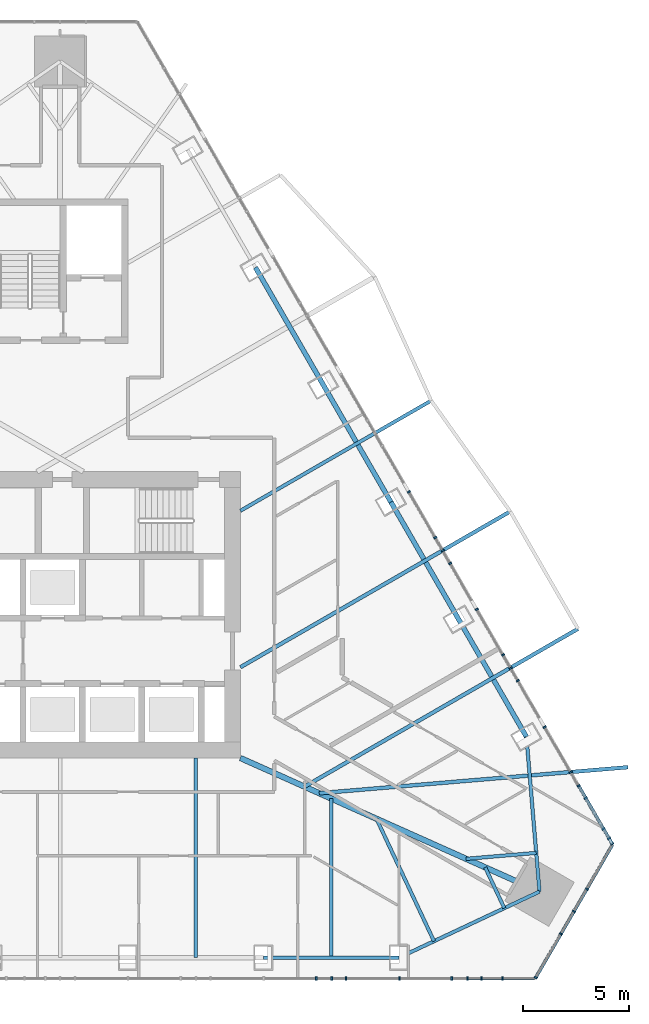
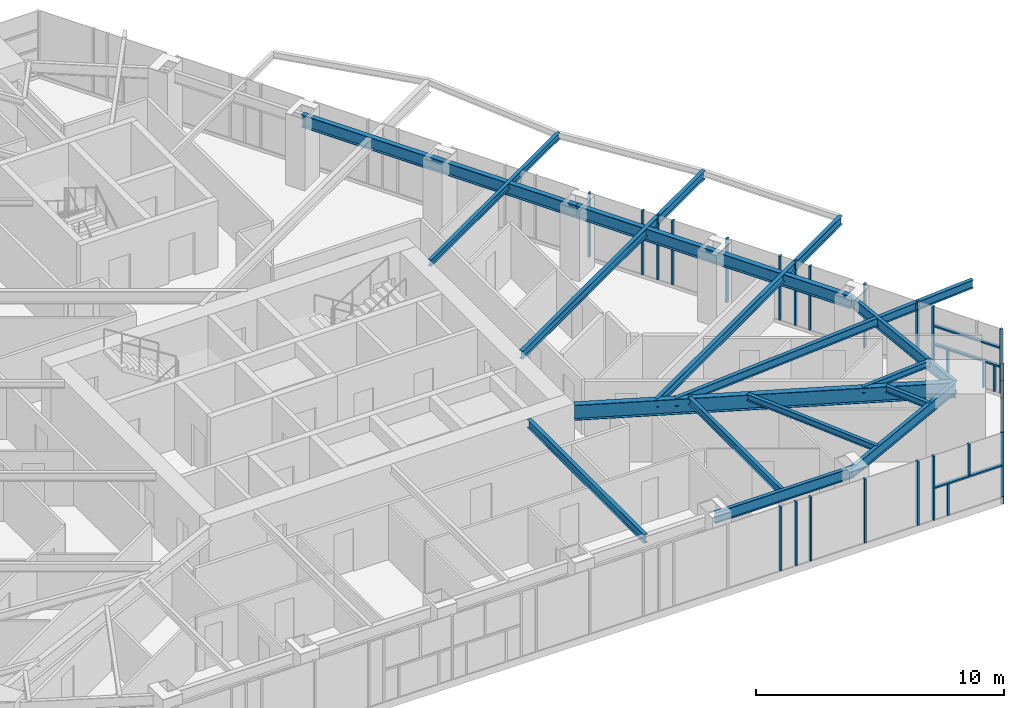
# One storey, part 8 of 26: 31 members, 15 beams, 3 elements without a shape of their own.
"""IFC4 building model written with IfcOpenShell, lengths in metres."""

from ifc_helpers import new_model, si_unit, direction, frame, origin, origin_2d, place, context, subcontext, project, spatial, rectangle, i_section, extrude, material, layer, layer_set, material_profile, profile_set, type_object, element, aggregate, save


model = new_model("IFC4")

# Units and contexts
model_context = context("Model", 3, precision=1e-05, world=origin(), true_north=direction((0.0, 1.0)))
body_context = subcontext(model_context, "Body", "Model", "MODEL_VIEW")
ifc_project = project(units=[si_unit("LENGTHUNIT", "METRE"), si_unit("AREAUNIT", "SQUARE_METRE"), si_unit("VOLUMEUNIT", "CUBIC_METRE"), si_unit("PLANEANGLEUNIT", "RADIAN"), si_unit("MASSUNIT", "GRAM", prefix="KILO")], contexts=[model_context])

# Site, building, storey
site_placement = place(None, origin())
site = spatial("IfcSite", under=ifc_project, at=site_placement, CompositionType="ELEMENT")
building_placement = place(site_placement, origin())
building = spatial("IfcBuilding", under=site, at=building_placement, Name="Firuza Gate Tower and Library", CompositionType="ELEMENT")
storey_placement = place(building_placement, frame((0.0, 0.0, 288.10009765625)))
storey = spatial("IfcBuildingStorey", under=building, at=storey_placement, Name="L69", CompositionType="ELEMENT", Elevation=288.10009765625)

# Curtain wall, members
ifc_material_1 = material(Name="Aluminium 6063-T6", Category="aluminium")
ifc_layer_1 = layer(ifc_material_1, 0.14990234375)
ifc_layer_set_1 = layer_set([ifc_layer_1], Name="Unitised curtain wall, residences")
curtain_wall_type_1 = type_object("IfcCurtainWallType", Name="Unitised curtain wall, residences", PredefinedType="NOTDEFINED", material=ifc_layer_set_1)
placement = place(storey_placement, origin())
curtain_wall_1 = element("IfcCurtainWall", 1, at=placement, inside=storey, type_object=curtain_wall_type_1, Name="CW3 L69 S face", PredefinedType="NOTDEFINED")
ifc_material_2 = material(Name="Aluminium 6063-T6", Category="aluminium")
ifc_material_profile_1 = material_profile(ifc_material_2, rectangle(XDim=0.14990234375, YDim=0.080078125, at=origin_2d()))
ifc_profile_set_1 = profile_set([ifc_material_profile_1], Name="Aluminium 6063-T6")
member_type_1 = type_object("IfcMemberType", Name="Curtain wall mullion 80x150", PredefinedType="MULLION", material=ifc_profile_set_1)
member_1_placement = place(storey_placement, frame((87.803466796875, 57.85693359375, 0.14990234375), z_axis=(0.0, 0.0, 1.0), x_axis=(0.0, 1.0, 0.0)))
member_1 = element("IfcMember", 2, at=member_1_placement, type_object=member_type_1, Name="Mullion", PredefinedType="MULLION", context=body_context, shape_type="SweptSolid", body=[
    extrude(rectangle(XDim=0.14990234375, YDim=0.080078125, at=origin_2d()), origin(), (0.0, 0.0, 1.0), 3.14990234375),
])
member_2_placement = place(storey_placement, frame((91.004150390625, 57.85693359375, 0.14990234375), z_axis=(0.0, 0.0, 1.0), x_axis=(0.0, 1.0, 0.0)))
member_2 = element("IfcMember", 3, at=member_2_placement, type_object=member_type_1, Name="Mullion", PredefinedType="MULLION", context=body_context, shape_type="SweptSolid", body=[
    extrude(rectangle(XDim=0.14990234375, YDim=0.080078125, at=origin_2d()), origin(), (0.0, 0.0, 1.0), 3.14990234375),
])
member_3_placement = place(storey_placement, frame((94.205078125, 57.85693359375, 0.14990234375), z_axis=(0.0, 0.0, 1.0), x_axis=(0.0, 1.0, 0.0)))
member_3 = element("IfcMember", 4, at=member_3_placement, type_object=member_type_1, Name="Mullion", PredefinedType="MULLION", context=body_context, shape_type="SweptSolid", body=[
    extrude(rectangle(XDim=0.14990234375, YDim=0.080078125, at=origin_2d()), origin(), (0.0, 0.0, 1.0), 3.14990234375),
])
member_4_placement = place(storey_placement, frame((87.0771484375, 57.85693359375, 0.14990234375), z_axis=(0.0, 0.0, 1.0), x_axis=(0.0, 1.0, 0.0)))
member_4 = element("IfcMember", 5, at=member_4_placement, type_object=member_type_1, Name="Mullion", PredefinedType="MULLION", context=body_context, shape_type="SweptSolid", body=[
    extrude(rectangle(XDim=0.14990234375, YDim=0.080078125, at=origin_2d()), origin(), (0.0, 0.0, 1.0), 3.14990234375),
])
member_5_placement = place(storey_placement, frame((88.480224609375, 57.85693359375, 0.14990234375), z_axis=(0.0, 0.0, 1.0), x_axis=(0.0, 1.0, 0.0)))
member_5 = element("IfcMember", 6, at=member_5_placement, type_object=member_type_1, Name="Mullion", PredefinedType="MULLION", context=body_context, shape_type="SweptSolid", body=[
    extrude(rectangle(XDim=0.14990234375, YDim=0.080078125, at=origin_2d()), origin(), (0.0, 0.0, 1.0), 3.14990234375),
])
member_6_placement = place(storey_placement, frame((93.466552734375, 57.85693359375, 0.14990234375), z_axis=(0.0, 0.0, 1.0), x_axis=(0.0, 1.0, 0.0)))
member_6 = element("IfcMember", 7, at=member_6_placement, type_object=member_type_1, Name="Mullion", PredefinedType="MULLION", context=body_context, shape_type="SweptSolid", body=[
    extrude(rectangle(XDim=0.14990234375, YDim=0.080078125, at=origin_2d()), origin(), (0.0, 0.0, 1.0), 3.14990234375),
])
member_7_placement = place(storey_placement, frame((94.869384765625, 57.85693359375, 0.14990234375), z_axis=(0.0, 0.0, 1.0), x_axis=(0.0, 1.0, 0.0)))
member_7 = element("IfcMember", 8, at=member_7_placement, type_object=member_type_1, Name="Mullion", PredefinedType="MULLION", context=body_context, shape_type="SweptSolid", body=[
    extrude(rectangle(XDim=0.14990234375, YDim=0.080078125, at=origin_2d()), origin(), (0.0, 0.0, 1.0), 1.534912109375),
])
member_8_placement = place(storey_placement, frame((95.852294921875, 57.85693359375, 1.764892578125), z_axis=(0.0, 0.0, 1.0), x_axis=(0.0, 1.0, 0.0)))
member_8 = element("IfcMember", 9, at=member_8_placement, type_object=member_type_1, Name="Mullion", PredefinedType="MULLION", context=body_context, shape_type="SweptSolid", body=[
    extrude(rectangle(XDim=0.14990234375, YDim=0.080078125, at=origin_2d()), origin(), (0.0, 0.0, 1.0), 1.534912109375),
])

ifc_material_3 = material(Name="Aluminium 6063-T6", Category="aluminium")
ifc_layer_2 = layer(ifc_material_3, 0.14990234375)
ifc_layer_set_2 = layer_set([ifc_layer_2], Name="Corner curtain wall, chamfers")
curtain_wall_type_2 = type_object("IfcCurtainWallType", Name="Corner curtain wall, chamfers", PredefinedType="NOTDEFINED", material=ifc_layer_set_2)
curtain_wall_2 = element("IfcCurtainWall", 10, at=placement, inside=storey, type_object=curtain_wall_type_2, Name="CW4 L69 SE corner", PredefinedType="NOTDEFINED")
member_9_placement = place(storey_placement, frame((97.426025390625, 57.8916015625, 0.14990234375), z_axis=(0.0, 0.0, 1.0), x_axis=(-0.866025403784, 0.5, 0.0)))
member_9 = element("IfcMember", 11, at=member_9_placement, type_object=member_type_1, Name="Mullion", PredefinedType="MULLION", context=body_context, shape_type="SweptSolid", body=[
    extrude(rectangle(XDim=0.14990234375, YDim=0.080078125, at=origin_2d()), origin(), (0.0, 0.0, 1.0), 3.14990234375),
])
member_10_placement = place(storey_placement, frame((99.2275390625, 61.01220703125, 0.14990234375), z_axis=(0.0, 0.0, 1.0), x_axis=(-0.866025403784, 0.5, 0.0)))
member_10 = element("IfcMember", 12, at=member_10_placement, type_object=member_type_1, Name="Mullion", PredefinedType="MULLION", context=body_context, shape_type="SweptSolid", body=[
    extrude(rectangle(XDim=0.14990234375, YDim=0.080078125, at=origin_2d()), origin(), (0.0, 0.0, 1.0), 3.14990234375),
])
member_11_placement = place(storey_placement, frame((98.616455078125, 59.953857421875, 0.14990234375), z_axis=(0.0, 0.0, 1.0), x_axis=(-0.866025403784, 0.5, 0.0)))
member_11 = element("IfcMember", 13, at=member_11_placement, type_object=member_type_1, Name="Mullion", PredefinedType="MULLION", context=body_context, shape_type="SweptSolid", body=[
    extrude(rectangle(XDim=0.14990234375, YDim=0.080078125, at=origin_2d()), origin(), (0.0, 0.0, 1.0), 3.14990234375),
])
member_12_placement = place(storey_placement, frame((99.838623046875, 62.070556640625, 0.14990234375), z_axis=(0.0, 0.0, 1.0), x_axis=(-0.866025403784, 0.5, 0.0)))
member_12 = element("IfcMember", 14, at=member_12_placement, type_object=member_type_1, Name="Mullion", PredefinedType="MULLION", context=body_context, shape_type="SweptSolid", body=[
    extrude(rectangle(XDim=0.14990234375, YDim=0.080078125, at=origin_2d()), origin(), (0.0, 0.0, 1.0), 3.14990234375),
])

curtain_wall_3 = element("IfcCurtainWall", 15, at=placement, inside=storey, type_object=curtain_wall_type_1, Name="CW3 L69 E face", PredefinedType="NOTDEFINED")
member_13_placement = place(storey_placement, frame((101.029296875, 64.201904296875, 0.14990234375), z_axis=(0.0, 0.0, 1.0), x_axis=(-0.866025403784, -0.5, 0.0)))
member_13 = element("IfcMember", 16, at=member_13_placement, type_object=member_type_1, Name="Mullion", PredefinedType="MULLION", context=body_context, shape_type="SweptSolid", body=[
    extrude(rectangle(XDim=0.14990234375, YDim=0.080078125, at=origin_2d()), origin(), (0.0, 0.0, 1.0), 3.14990234375),
])
member_14_placement = place(storey_placement, frame((99.44873046875, 66.939453125, 0.14990234375), z_axis=(0.0, 0.0, 1.0), x_axis=(-0.866025403784, -0.5, 0.0)))
member_14 = element("IfcMember", 17, at=member_14_placement, type_object=member_type_1, Name="Mullion", PredefinedType="MULLION", context=body_context, shape_type="SweptSolid", body=[
    extrude(rectangle(XDim=0.14990234375, YDim=0.080078125, at=origin_2d()), origin(), (0.0, 0.0, 1.0), 3.14990234375),
])
member_15_placement = place(storey_placement, frame((97.848388671875, 69.71142578125, 0.14990234375), z_axis=(0.0, 0.0, 1.0), x_axis=(-0.866025403784, -0.5, 0.0)))
member_15 = element("IfcMember", 18, at=member_15_placement, type_object=member_type_1, Name="Mullion", PredefinedType="MULLION", context=body_context, shape_type="SweptSolid", body=[
    extrude(rectangle(XDim=0.14990234375, YDim=0.080078125, at=origin_2d()), origin(), (0.0, 0.0, 1.0), 3.14990234375),
])
member_16_placement = place(storey_placement, frame((96.248046875, 72.4833984375, 0.14990234375), z_axis=(0.0, 0.0, 1.0), x_axis=(-0.866025403784, -0.5, 0.0)))
member_16 = element("IfcMember", 19, at=member_16_placement, type_object=member_type_1, Name="Mullion", PredefinedType="MULLION", context=body_context, shape_type="SweptSolid", body=[
    extrude(rectangle(XDim=0.14990234375, YDim=0.080078125, at=origin_2d()), origin(), (0.0, 0.0, 1.0), 3.14990234375),
])
member_17_placement = place(storey_placement, frame((94.6474609375, 75.25537109375, 0.14990234375), z_axis=(0.0, 0.0, 1.0), x_axis=(-0.866025403784, -0.5, 0.0)))
member_17 = element("IfcMember", 20, at=member_17_placement, type_object=member_type_1, Name="Mullion", PredefinedType="MULLION", context=body_context, shape_type="SweptSolid", body=[
    extrude(rectangle(XDim=0.14990234375, YDim=0.080078125, at=origin_2d()), origin(), (0.0, 0.0, 1.0), 3.14990234375),
])
member_18_placement = place(storey_placement, frame((93.047119140625, 78.027587890625, 0.14990234375), z_axis=(0.0, 0.0, 1.0), x_axis=(-0.866025403784, -0.5, 0.0)))
member_18 = element("IfcMember", 21, at=member_18_placement, type_object=member_type_1, Name="Mullion", PredefinedType="MULLION", context=body_context, shape_type="SweptSolid", body=[
    extrude(rectangle(XDim=0.14990234375, YDim=0.080078125, at=origin_2d()), origin(), (0.0, 0.0, 1.0), 3.14990234375),
])
member_19_placement = place(storey_placement, frame((91.44677734375, 80.799560546875, 0.14990234375), z_axis=(0.0, 0.0, 1.0), x_axis=(-0.866025403784, -0.5, 0.0)))
member_19 = element("IfcMember", 22, at=member_19_placement, type_object=member_type_1, Name="Mullion", PredefinedType="MULLION", context=body_context, shape_type="SweptSolid", body=[
    extrude(rectangle(XDim=0.14990234375, YDim=0.080078125, at=origin_2d()), origin(), (0.0, 0.0, 1.0), 3.14990234375),
])
member_20_placement = place(storey_placement, frame((100.8837890625, 64.4541015625, 0.14990234375), z_axis=(0.0, 0.0, 1.0), x_axis=(-0.866025403784, -0.5, 0.0)))
member_20 = element("IfcMember", 23, at=member_20_placement, type_object=member_type_1, Name="Mullion", PredefinedType="MULLION", context=body_context, shape_type="SweptSolid", body=[
    extrude(rectangle(XDim=0.14990234375, YDim=0.080078125, at=origin_2d()), origin(), (0.0, 0.0, 1.0), 1.260009765625),
])
member_21_placement = place(storey_placement, frame((100.619140625, 64.91259765625, 0.14990234375), z_axis=(0.0, 0.0, 1.0), x_axis=(-0.866025403784, -0.5, 0.0)))
member_21 = element("IfcMember", 24, at=member_21_placement, type_object=member_type_1, Name="Mullion", PredefinedType="MULLION", context=body_context, shape_type="SweptSolid", body=[
    extrude(rectangle(XDim=0.14990234375, YDim=0.080078125, at=origin_2d()), origin(), (0.0, 0.0, 1.0), 1.260009765625),
])
member_22_placement = place(storey_placement, frame((99.781005859375, 66.364013671875, 0.14990234375), z_axis=(0.0, 0.0, 1.0), x_axis=(-0.866025403784, -0.5, 0.0)))
member_22 = element("IfcMember", 25, at=member_22_placement, type_object=member_type_1, Name="Mullion", PredefinedType="MULLION", context=body_context, shape_type="SweptSolid", body=[
    extrude(rectangle(XDim=0.14990234375, YDim=0.080078125, at=origin_2d()), origin(), (0.0, 0.0, 1.0), 1.260009765625),
])
member_23_placement = place(storey_placement, frame((99.07958984375, 67.5791015625, 0.14990234375), z_axis=(0.0, 0.0, 1.0), x_axis=(-0.866025403784, -0.5, 0.0)))
member_23 = element("IfcMember", 26, at=member_23_placement, type_object=member_type_1, Name="Mullion", PredefinedType="MULLION", context=body_context, shape_type="SweptSolid", body=[
    extrude(rectangle(XDim=0.14990234375, YDim=0.080078125, at=origin_2d()), origin(), (0.0, 0.0, 1.0), 3.14990234375),
])
member_24_placement = place(storey_placement, frame((96.58642578125, 71.8974609375, 0.14990234375), z_axis=(0.0, 0.0, 1.0), x_axis=(-0.866025403784, -0.5, 0.0)))
member_24 = element("IfcMember", 27, at=member_24_placement, type_object=member_type_1, Name="Mullion", PredefinedType="MULLION", context=body_context, shape_type="SweptSolid", body=[
    extrude(rectangle(XDim=0.14990234375, YDim=0.080078125, at=origin_2d()), origin(), (0.0, 0.0, 1.0), 3.14990234375),
])
member_25_placement = place(storey_placement, frame((95.885009765625, 73.1123046875, 0.14990234375), z_axis=(0.0, 0.0, 1.0), x_axis=(-0.866025403784, -0.5, 0.0)))
member_25 = element("IfcMember", 28, at=member_25_placement, type_object=member_type_1, Name="Mullion", PredefinedType="MULLION", context=body_context, shape_type="SweptSolid", body=[
    extrude(rectangle(XDim=0.14990234375, YDim=0.080078125, at=origin_2d()), origin(), (0.0, 0.0, 1.0), 3.14990234375),
])
member_26_placement = place(storey_placement, frame((93.3916015625, 77.4306640625, 0.14990234375), z_axis=(0.0, 0.0, 1.0), x_axis=(-0.866025403784, -0.5, 0.0)))
member_26 = element("IfcMember", 29, at=member_26_placement, type_object=member_type_1, Name="Mullion", PredefinedType="MULLION", context=body_context, shape_type="SweptSolid", body=[
    extrude(rectangle(XDim=0.14990234375, YDim=0.080078125, at=origin_2d()), origin(), (0.0, 0.0, 1.0), 3.14990234375),
])
member_27_placement = place(storey_placement, frame((92.690185546875, 78.645751953125, 0.14990234375), z_axis=(0.0, 0.0, 1.0), x_axis=(-0.866025403784, -0.5, 0.0)))
member_27 = element("IfcMember", 30, at=member_27_placement, type_object=member_type_1, Name="Mullion", PredefinedType="MULLION", context=body_context, shape_type="SweptSolid", body=[
    extrude(rectangle(XDim=0.14990234375, YDim=0.080078125, at=origin_2d()), origin(), (0.0, 0.0, 1.0), 3.14990234375),
])

# Member
ifc_material_4 = material(Name="Aluminium 6063-T6", Category="aluminium")
ifc_material_profile_2 = material_profile(ifc_material_4, rectangle(XDim=0.14990234375, YDim=0.35009765625, at=origin_2d()))
ifc_profile_set_2 = profile_set([ifc_material_profile_2], Name="Aluminium 6063-T6")
member_type_2 = type_object("IfcMemberType", Name="Curtain wall transom 350x150", PredefinedType="USERDEFINED", material=ifc_profile_set_2)
member_28_placement = place(storey_placement, frame((97.406005859375, 57.85693359375, -0.025146484375), z_axis=(0.499991211061, 0.866030478021, 0.0), x_axis=(-0.866030478021, 0.499991211061, 0.0)))
member_28 = element("IfcMember", 31, at=member_28_placement, type_object=member_type_2, Name="Transom", ObjectType="TRANSOM", PredefinedType="USERDEFINED", context=body_context, shape_type="SweptSolid", body=[
    extrude(rectangle(XDim=0.14990234375, YDim=0.35009765625, at=origin_2d()), origin(), (0.0, 0.0, 1.0), 7.286865234375),
])

aggregate(curtain_wall_2, [member_9, member_10, member_28, member_11, member_12])

ifc_material_5 = material(Name="Aluminium 6063-T6", Category="aluminium")
ifc_material_profile_3 = material_profile(ifc_material_5, rectangle(XDim=0.14990234375, YDim=0.080078125, at=origin_2d()))
ifc_profile_set_3 = profile_set([ifc_material_profile_3], Name="Aluminium 6063-T6")
member_type_3 = type_object("IfcMemberType", Name="Curtain wall transom 80x150", PredefinedType="USERDEFINED", material=ifc_profile_set_3)
member_29_placement = place(storey_placement, frame((94.2451171875, 57.85693359375, 1.724853515625), z_axis=(1.0, 0.0, 0.0), x_axis=(0.0, 1.0, 0.0)))
member_29 = element("IfcMember", 32, at=member_29_placement, type_object=member_type_3, Name="Transom", ObjectType="TRANSOM", PredefinedType="USERDEFINED", context=body_context, shape_type="SweptSolid", body=[
    extrude(rectangle(XDim=0.14990234375, YDim=0.080078125, at=origin_2d()), origin(), (0.0, 0.0, 1.0), 3.120849609375),
])

aggregate(curtain_wall_1, [member_1, member_2, member_3, member_4, member_5, member_6, member_7, member_8, member_29])

member_30_placement = place(storey_placement, frame((101.029296875, 64.201904296875, 1.449951171875), z_axis=(-0.500009103498, 0.866020147814, 0.0), x_axis=(-0.866020147814, -0.500009103498, 0.0)))
member_30 = element("IfcMember", 33, at=member_30_placement, type_object=member_type_3, Name="Transom", ObjectType="TRANSOM", PredefinedType="USERDEFINED", context=body_context, shape_type="SweptSolid", body=[
    extrude(rectangle(XDim=0.14990234375, YDim=0.080078125, at=origin_2d()), origin(), (0.0, 0.0, 1.0), 3.12109375),
])

member_31_placement = place(storey_placement, frame((101.029296875, 64.201904296875, 2.375), z_axis=(-0.500009103498, 0.866020147814, 0.0), x_axis=(-0.866020147814, -0.500009103498, 0.0)))
member_31 = element("IfcMember", 34, at=member_31_placement, type_object=member_type_3, Name="Transom", ObjectType="TRANSOM", PredefinedType="USERDEFINED", context=body_context, shape_type="SweptSolid", body=[
    extrude(rectangle(XDim=0.14990234375, YDim=0.080078125, at=origin_2d()), origin(), (0.0, 0.0, 1.0), 3.12109375),
])

aggregate(curtain_wall_3, [member_13, member_14, member_15, member_16, member_17, member_18, member_19, member_20, member_21, member_22, member_30, member_31, member_23, member_24, member_25, member_26, member_27])

# Beams
ifc_material_6 = material(Name="Steel S355", Category="steel")
ifc_material_profile_4 = material_profile(ifc_material_6, i_section(OverallWidth=0.1650390625, OverallDepth=0.31005859375, WebThickness=0.005859375, FlangeThickness=0.009765625, at=origin_2d()))
ifc_profile_set_4 = profile_set([ifc_material_profile_4], Name="Steel S355")
beam_type_1 = type_object("IfcBeamType", Name="W310x39 Floor beam", PredefinedType="JOIST", material=ifc_profile_set_4)
beam_1_placement = place(storey_placement, frame((92.630859375, 59.611328125, 3.14501953125), z_axis=(-0.425479956194, 0.904967848532, 0.0), x_axis=(-0.904967848532, -0.425479956194, 0.0)))
element("IfcBeam", 35, at=beam_1_placement, inside=storey, type_object=beam_type_1, Name="Floor beam L69 s30", PredefinedType="JOIST", context=body_context, shape_type="SweptSolid", body=[
    extrude(i_section(OverallWidth=0.1650390625, OverallDepth=0.31005859375, WebThickness=0.005859375, FlangeThickness=0.009765625, at=origin_2d()), origin(), (0.0, 0.0, 1.0), 6.37841796875),
])
beam_2_placement = place(storey_placement, frame((95.9462890625, 61.170166015625, 3.14501953125), z_axis=(-0.425542647258, 0.904938371031, 0.0), x_axis=(-0.904938371031, -0.425542647258, 0.0)))
element("IfcBeam", 36, at=beam_2_placement, inside=storey, type_object=beam_type_1, Name="Floor beam L69 s31", PredefinedType="JOIST", context=body_context, shape_type="SweptSolid", body=[
    extrude(i_section(OverallWidth=0.1650390625, OverallDepth=0.31005859375, WebThickness=0.005859375, FlangeThickness=0.009765625, at=origin_2d()), origin(), (0.0, 0.0, 1.0), 2.126220703125),
])
beam_3_placement = place(storey_placement, frame((97.449951171875, 63.77490234375, 3.14501953125), z_axis=(-0.996467212931, -0.083982697946, 0.0), x_axis=(0.083982697946, -0.996467212931, 0.0)))
element("IfcBeam", 37, at=beam_3_placement, inside=storey, type_object=beam_type_1, Name="Floor beam L69 s40", PredefinedType="JOIST", context=body_context, shape_type="SweptSolid", body=[
    extrude(i_section(OverallWidth=0.1650390625, OverallDepth=0.31005859375, WebThickness=0.005859375, FlangeThickness=0.009765625, at=origin_2d()), origin(), (0.0, 0.0, 1.0), 3.31982421875),
])
beam_4_placement = place(storey_placement, frame((92.49658203125, 85.101806640625, 3.14501953125), z_axis=(-0.866018864611, -0.50001132601, 0.0), x_axis=(0.50001132601, -0.866018864611, 0.0)))
element("IfcBeam", 38, at=beam_4_placement, inside=storey, type_object=beam_type_1, Name="Floor beam L69 s52", PredefinedType="JOIST", context=body_context, shape_type="SweptSolid", body=[
    extrude(i_section(OverallWidth=0.1650390625, OverallDepth=0.31005859375, WebThickness=0.005859375, FlangeThickness=0.009765625, at=origin_2d()), origin(), (0.0, 0.0, 1.0), 10.388427734375),
])
ifc_material_7 = material(Name="Steel S355", Category="steel")
ifc_material_profile_5 = material_profile(ifc_material_7, i_section(OverallWidth=0.1708984375, OverallDepth=0.35498046875, WebThickness=0.007080078125, FlangeThickness=0.01171875, at=origin_2d()))
ifc_profile_set_5 = profile_set([ifc_material_profile_5], Name="Steel S355")
beam_type_2 = type_object("IfcBeamType", Name="W360x51 Floor beam", PredefinedType="JOIST", material=ifc_profile_set_5)
beam_5_placement = place(storey_placement, frame((87.778564453125, 58.83203125, 3.122314453125), z_axis=(0.0, 1.0, 0.0), x_axis=(-1.0, 0.0, 0.0)))
element("IfcBeam", 39, at=beam_5_placement, inside=storey, type_object=beam_type_2, Name="Floor beam L69 s24", PredefinedType="JOIST", context=body_context, shape_type="SweptSolid", body=[
    extrude(i_section(OverallWidth=0.1708984375, OverallDepth=0.35498046875, WebThickness=0.007080078125, FlangeThickness=0.01171875, at=origin_2d()), origin(), (0.0, 0.0, 1.0), 7.506591796875),
])
ifc_material_8 = material(Name="Steel S355", Category="steel")
ifc_material_profile_6 = material_profile(ifc_material_8, i_section(OverallWidth=0.177978515625, OverallDepth=0.406982421875, WebThickness=0.0078125, FlangeThickness=0.0126953125, at=origin_2d()))
ifc_profile_set_6 = profile_set([ifc_material_profile_6], Name="Steel S355")
beam_type_3 = type_object("IfcBeamType", Name="W410x60 Floor beam", PredefinedType="JOIST", material=ifc_profile_set_6)
beam_6_placement = place(storey_placement, frame((81.389404296875, 58.83203125, 3.096435546875), z_axis=(0.0, 1.0, 0.0), x_axis=(-1.0, 0.0, 0.0)))
element("IfcBeam", 40, at=beam_6_placement, inside=storey, type_object=beam_type_3, Name="Floor beam L69 s23", PredefinedType="JOIST", context=body_context, shape_type="SweptSolid", body=[
    extrude(i_section(OverallWidth=0.177978515625, OverallDepth=0.406982421875, WebThickness=0.0078125, FlangeThickness=0.0126953125, at=origin_2d()), origin(), (0.0, 0.0, 1.0), 9.41796875),
])
beam_7_placement = place(storey_placement, frame((101.77587890625, 67.81591796875, 3.096435546875), z_axis=(-0.996467993976, -0.083973430206, 0.0), x_axis=(0.083973430206, -0.996467993976, 0.0)))
element("IfcBeam", 41, at=beam_7_placement, inside=storey, type_object=beam_type_3, Name="Floor beam L69 s41", PredefinedType="JOIST", context=body_context, shape_type="SweptSolid", body=[
    extrude(i_section(OverallWidth=0.177978515625, OverallDepth=0.406982421875, WebThickness=0.0078125, FlangeThickness=0.0126953125, at=origin_2d()), origin(), (0.0, 0.0, 1.0), 14.609375),
])
beam_8_placement = place(storey_placement, frame((99.418212890625, 74.34228515625, 3.096435546875), z_axis=(-0.866031565351, -0.499989327703, 0.0), x_axis=(0.499989327703, -0.866031565351, 0.0)))
element("IfcBeam", 42, at=beam_8_placement, inside=storey, type_object=beam_type_3, Name="Floor beam L69 s50", PredefinedType="JOIST", context=body_context, shape_type="SweptSolid", body=[
    extrude(i_section(OverallWidth=0.177978515625, OverallDepth=0.406982421875, WebThickness=0.0078125, FlangeThickness=0.0126953125, at=origin_2d()), origin(), (0.0, 0.0, 1.0), 14.887451171875),
])
beam_9_placement = place(storey_placement, frame((96.2236328125, 79.875732421875, 3.096435546875), z_axis=(-0.866026746671, -0.499997674046, 0.0), x_axis=(0.499997674046, -0.866026746671, 0.0)))
element("IfcBeam", 43, at=beam_9_placement, inside=storey, type_object=beam_type_3, Name="Floor beam L69 s51", PredefinedType="JOIST", context=body_context, shape_type="SweptSolid", body=[
    extrude(i_section(OverallWidth=0.177978515625, OverallDepth=0.406982421875, WebThickness=0.0078125, FlangeThickness=0.0126953125, at=origin_2d()), origin(), (0.0, 0.0, 1.0), 14.69189453125),
])
ifc_material_9 = material(Name="Steel S355", Category="steel")
ifc_material_profile_7 = material_profile(ifc_material_9, i_section(OverallWidth=0.166015625, OverallDepth=0.534912109375, WebThickness=0.01025390625, FlangeThickness=0.0166015625, at=origin_2d()))
ifc_profile_set_7 = profile_set([ifc_material_profile_7], Name="Steel S355")
beam_type_4 = type_object("IfcBeamType", Name="W530x85 Edge beam", PredefinedType="SPANDREL", material=ifc_profile_set_7)
beam_10_placement = place(storey_placement, frame((84.583984375, 58.83203125, 3.032470703125), z_axis=(1.0, 0.0, 0.0), x_axis=(0.0, 1.0, 0.0)))
element("IfcBeam", 44, at=beam_10_placement, inside=storey, type_object=beam_type_4, Name="Edge beam L69 e24", PredefinedType="SPANDREL", context=body_context, shape_type="SweptSolid", body=[
    extrude(i_section(OverallWidth=0.166015625, OverallDepth=0.534912109375, WebThickness=0.01025390625, FlangeThickness=0.0166015625, at=origin_2d()), origin(), (0.0, 0.0, 1.0), 6.389404296875),
])
beam_11_placement = place(storey_placement, frame((90.973388671875, 58.83203125, 3.032470703125), z_axis=(0.904950057905, 0.425517793632, 0.0), x_axis=(-0.425517793632, 0.904950057905, 0.0)))
element("IfcBeam", 45, at=beam_11_placement, inside=storey, type_object=beam_type_4, Name="Edge beam L69 e30", PredefinedType="SPANDREL", context=body_context, shape_type="SweptSolid", body=[
    extrude(i_section(OverallWidth=0.166015625, OverallDepth=0.534912109375, WebThickness=0.01025390625, FlangeThickness=0.0166015625, at=origin_2d()), origin(), (0.0, 0.0, 1.0), 7.32666015625),
])
beam_12_placement = place(storey_placement, frame((97.603759765625, 61.94970703125, 3.032470703125), z_axis=(-0.083969243734, 0.996468346766, 0.0), x_axis=(-0.996468346766, -0.083969243734, 0.0)))
element("IfcBeam", 46, at=beam_12_placement, inside=storey, type_object=beam_type_4, Name="Edge beam L69 e40", PredefinedType="SPANDREL", context=body_context, shape_type="SweptSolid", body=[
    extrude(i_section(OverallWidth=0.166015625, OverallDepth=0.534912109375, WebThickness=0.01025390625, FlangeThickness=0.0166015625, at=origin_2d()), origin(), (0.0, 0.0, 1.0), 7.326904296875),
])
ifc_material_10 = material(Name="Steel S355", Category="steel")
ifc_material_profile_8 = material_profile(ifc_material_10, i_section(OverallWidth=0.22900390625, OverallDepth=0.612060546875, WebThickness=0.011962890625, FlangeThickness=0.01953125, at=origin_2d()))
ifc_profile_set_8 = profile_set([ifc_material_profile_8], Name="Steel S355")
beam_type_5 = type_object("IfcBeamType", Name="W610x125 Edge beam", PredefinedType="SPANDREL", material=ifc_profile_set_8)
beam_13_placement = place(storey_placement, frame((96.988525390625, 69.250732421875, 2.993896484375), z_axis=(-0.499989821264, 0.866031280401, 0.0), x_axis=(-0.866031280401, -0.499989821264, 0.0)))
element("IfcBeam", 47, at=beam_13_placement, inside=storey, type_object=beam_type_5, Name="Edge beam L69 e50", PredefinedType="SPANDREL", context=body_context, shape_type="SweptSolid", body=[
    extrude(i_section(OverallWidth=0.22900390625, OverallDepth=0.612060546875, WebThickness=0.011962890625, FlangeThickness=0.01953125, at=origin_2d()), origin(), (0.0, 0.0, 1.0), 12.778564453125),
])
beam_14_placement = place(storey_placement, frame((90.599365234375, 80.3173828125, 2.993896484375), z_axis=(-0.500004150346, 0.866023007568, 0.0), x_axis=(-0.866023007568, -0.500004150346, 0.0)))
element("IfcBeam", 48, at=beam_14_placement, inside=storey, type_object=beam_type_5, Name="Edge beam L69 e52", PredefinedType="SPANDREL", context=body_context, shape_type="SweptSolid", body=[
    extrude(i_section(OverallWidth=0.22900390625, OverallDepth=0.612060546875, WebThickness=0.011962890625, FlangeThickness=0.01953125, at=origin_2d()), origin(), (0.0, 0.0, 1.0), 12.77880859375),
])
ifc_material_11 = material(Name="Steel S355", Category="steel")
ifc_material_profile_9 = material_profile(ifc_material_11, i_section(OverallWidth=0.264892578125, OverallDepth=0.7529296875, WebThickness=0.01318359375, FlangeThickness=0.01708984375, at=origin_2d()))
ifc_profile_set_9 = profile_set([ifc_material_profile_9], Name="Steel S355")
beam_type_6 = type_object("IfcBeamType", Name="W760x147 Girder", PredefinedType="BEAM", material=ifc_profile_set_9)
beam_15_placement = place(storey_placement, frame((97.603759765625, 61.94970703125, 2.92333984375), z_axis=(-0.913042148656, 0.407865216435, 0.0), x_axis=(-0.407865216435, -0.913042148656, 0.0)))
element("IfcBeam", 49, at=beam_15_placement, inside=storey, type_object=beam_type_6, Name="Girder L69 gSE", PredefinedType="BEAM", context=body_context, shape_type="SweptSolid", body=[
    extrude(i_section(OverallWidth=0.264892578125, OverallDepth=0.7529296875, WebThickness=0.01318359375, FlangeThickness=0.01708984375, at=origin_2d()), origin(), (0.0, 0.0, 1.0), 15.447021484375),
])

save(model, "model.ifc")
